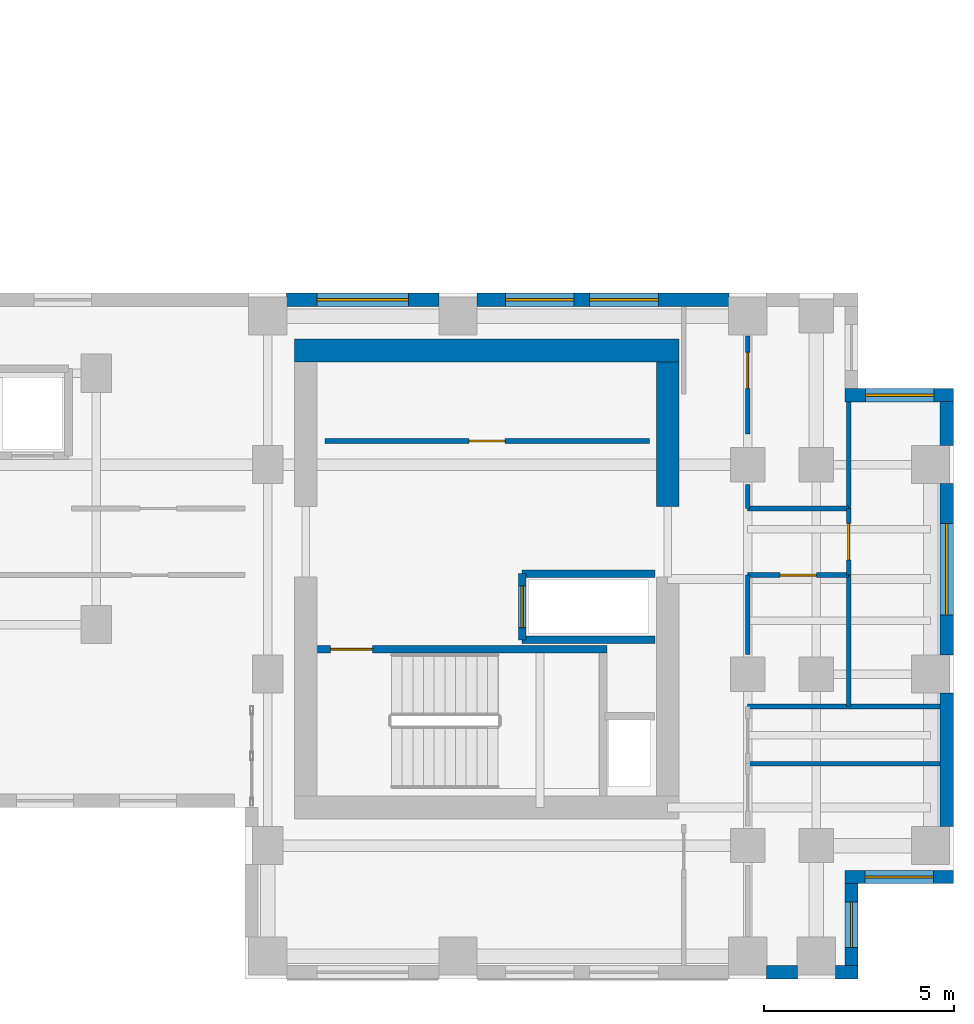
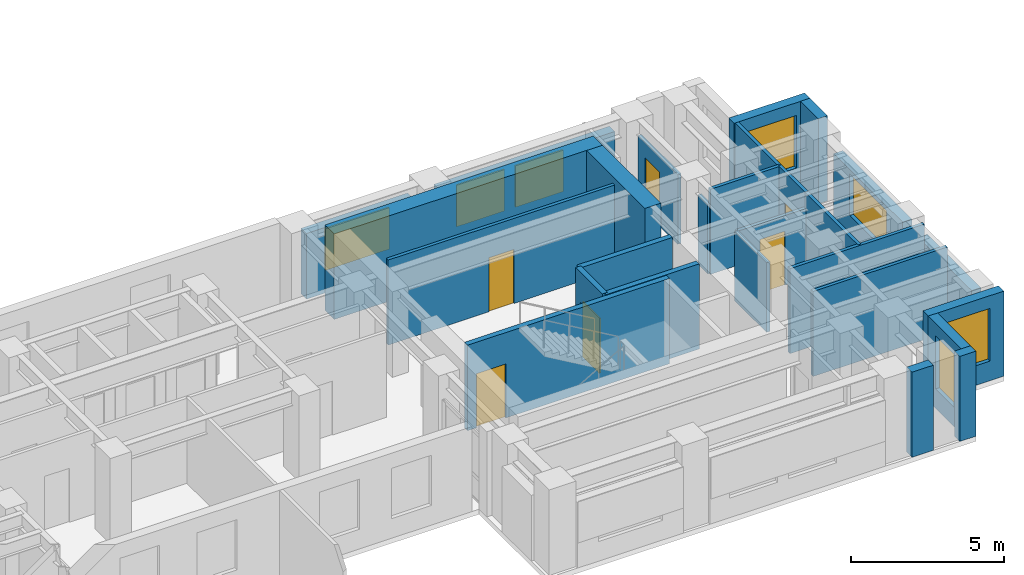
# One storey, part 8 of 12: 27 walls, 7 windows, 6 doors, 13 openings.
"""IFC4 building model written with IfcOpenShell, lengths in metres."""

from ifc_helpers import new_model, si_unit, direction, frame, frame_2d, origin, place, context, subcontext, project, spatial, rectangle, extrude, source, transform, mapped, material, layer, layer_set, type_object, element, fill, save


model = new_model("IFC4")

# Units and contexts
model_context = context("Model", 3, precision=1e-05, world=origin(), true_north=direction((0.0, 1.0)))
body_context = subcontext(model_context, "Body", "Model", "MODEL_VIEW")
ifc_project = project(units=[si_unit("LENGTHUNIT", "METRE"), si_unit("AREAUNIT", "SQUARE_METRE"), si_unit("VOLUMEUNIT", "CUBIC_METRE"), si_unit("PLANEANGLEUNIT", "RADIAN"), si_unit("MASSUNIT", "GRAM", prefix="KILO")], contexts=[model_context])

# Site, building, storey
site_placement = place(None, origin())
site = spatial("IfcSite", under=ifc_project, at=site_placement, CompositionType="ELEMENT")
building_placement = place(site_placement, origin())
building = spatial("IfcBuilding", under=site, at=building_placement, Name="Kharzan Plaza Tower", CompositionType="ELEMENT")
storey_placement = place(building_placement, frame((0.0, 0.0, 146.699951171875)))
storey = spatial("IfcBuildingStorey", under=building, at=storey_placement, Name="L39", CompositionType="ELEMENT", Elevation=146.699951171875)

# Wall, opening, window
ifc_material_1 = material(Name="Concrete C40/50", Category="concrete")
ifc_layer_1 = layer(ifc_material_1, 0.35009765625)
ifc_layer_set_1 = layer_set([ifc_layer_1], Name="Concrete C40/50")
wall_type_1 = type_object("IfcWallType", Name="WL-EXT-MAS-Z3", PredefinedType="SOLIDWALL", material=ifc_layer_set_1)
wall_1_placement = place(storey_placement, frame((50.324951171875, 0.347900390625, 0.0), z_axis=(0.0, 0.0, 1.0), x_axis=(0.0, 1.0, 0.0)))
wall_1 = element("IfcWall", 1, at=wall_1_placement, inside=storey, type_object=wall_type_1, Name="L39 Masonry-Frame Exterior Wall 33", PredefinedType="SOLIDWALL", context=body_context, shape_type="SweptSolid", body=[
    extrude(rectangle(XDim=2.154052734375, YDim=0.35009765625, at=frame_2d((1.0771484375, 0.0))), origin(), (0.0, 0.0, 1.0), 3.385009765625),
])
opening_1_placement = place(wall_1_placement, frame((0.47705078125, 0.0, 0.780029296875)))
opening_1 = element("IfcOpeningElement", 2, at=opening_1_placement, cuts=wall_1, Name="Opening W3", PredefinedType="OPENING", context=body_context, shape_type="SweptSolid", body=[
    extrude(rectangle(XDim=1.199951171875, YDim=2.10009765625, at=frame_2d((0.60009765625, 1.050048828125))), frame((0.0, 0.18505859375, 0.0), z_axis=(0.0, -1.0, 0.0), x_axis=(1.0, 0.0, 0.0)), (0.0, 0.0, 1.0), 0.3701171875),
])
ifc_material_2 = material(Name="Low-E Double Glazing", Category="glass")
window_type_1 = type_object("IfcWindowType", Name="WN-REC-1200x2100", PartitioningType="SINGLE_PANEL", PredefinedType="WINDOW", material=ifc_material_2)
shared_shape_1 = source(origin(), body_context, "Body", "SweptSolid", [
    extrude(rectangle(XDim=1.199951171875, YDim=2.10009765625, at=frame_2d((0.60009765625, 1.050048828125))), frame((0.0, 0.030029296875, 0.0), z_axis=(0.0, -1.0, 0.0), x_axis=(1.0, 0.0, 0.0)), (0.0, 0.0, 1.0), 0.06005859375),
])
window_1_placement = place(opening_1_placement, origin())
window_1 = element("IfcWindow", 3, at=window_1_placement, inside=storey, type_object=window_type_1, Name="L39 Recessed Solar-Control Window 33-1", OverallHeight=2.10009765625, OverallWidth=1.199951171875, PartitioningType="SINGLE_PANEL", PredefinedType="WINDOW", context=body_context, shape_type="MappedRepresentation", body=[
    mapped(shared_shape_1, transform((0.0, 0.0, 0.0), x_axis=(1.0, 0.0, 0.0), y_axis=(0.0, 1.0, 0.0), z_axis=(0.0, 0.0, 1.0))),
])
fill(opening_1, window_1)

wall_2_placement = place(storey_placement, frame((50.14990234375, 2.675048828125, 0.0), z_axis=(0.0, 0.0, 1.0), x_axis=(1.0, 0.0, 0.0)))
wall_2 = element("IfcWall", 4, at=wall_2_placement, inside=storey, type_object=wall_type_1, Name="L39 Masonry-Frame Exterior Wall 34", PredefinedType="SOLIDWALL", context=body_context, shape_type="SweptSolid", body=[
    extrude(rectangle(XDim=2.85009765625, YDim=0.35009765625, at=frame_2d((1.425048828125, 0.0))), origin(), (0.0, 0.0, 1.0), 3.385009765625),
])
opening_2_placement = place(wall_2_placement, frame((0.52490234375, 0.0, 0.780029296875)))
opening_2 = element("IfcOpeningElement", 5, at=opening_2_placement, cuts=wall_2, Name="Opening W1", PredefinedType="OPENING", context=body_context, shape_type="SweptSolid", body=[
    extrude(rectangle(XDim=1.800048828125, YDim=2.10009765625, at=frame_2d((0.89990234375, 1.050048828125))), frame((0.0, 0.18505859375, 0.0), z_axis=(0.0, -1.0, 0.0), x_axis=(1.0, 0.0, 0.0)), (0.0, 0.0, 1.0), 0.3701171875),
])
window_type_2 = type_object("IfcWindowType", Name="WN-REC-1800x2100", PartitioningType="SINGLE_PANEL", PredefinedType="WINDOW", material=ifc_material_2)
shared_shape_2 = source(origin(), body_context, "Body", "SweptSolid", [
    extrude(rectangle(XDim=1.800048828125, YDim=2.10009765625, at=frame_2d((0.89990234375, 1.050048828125))), frame((0.0, 0.030029296875, 0.0), z_axis=(0.0, -1.0, 0.0), x_axis=(1.0, 0.0, 0.0)), (0.0, 0.0, 1.0), 0.06005859375),
])
window_2_placement = place(opening_2_placement, origin())
window_2 = element("IfcWindow", 6, at=window_2_placement, inside=storey, type_object=window_type_2, Name="L39 Recessed Solar-Control Window 34-1", OverallHeight=2.10009765625, OverallWidth=1.800048828125, PartitioningType="SINGLE_PANEL", PredefinedType="WINDOW", context=body_context, shape_type="MappedRepresentation", body=[
    mapped(shared_shape_2, transform((0.0, 0.0, 0.0), x_axis=(1.0, 0.0, 0.0), y_axis=(0.0, 1.0, 0.0), z_axis=(0.0, 0.0, 1.0))),
])
fill(opening_2, window_2)

wall_3_placement = place(storey_placement, frame((52.824951171875, 8.498046875, 0.0), z_axis=(0.0, 0.0, 1.0), x_axis=(0.0, 1.0, 0.0)))
wall_3 = element("IfcWall", 7, at=wall_3_placement, inside=storey, type_object=wall_type_1, Name="L39 Masonry-Frame Exterior Wall 36", PredefinedType="SOLIDWALL", context=body_context, shape_type="SweptSolid", body=[
    extrude(rectangle(XDim=4.50390625, YDim=0.35009765625, at=frame_2d((2.251953125, 0.0))), origin(), (0.0, 0.0, 1.0), 2.612060546875),
])
opening_3_placement = place(wall_3_placement, frame((1.052001953125, 0.0, 0.780029296875)))
opening_3 = element("IfcOpeningElement", 8, at=opening_3_placement, cuts=wall_3, Name="Opening W2", PredefinedType="OPENING", context=body_context, shape_type="SweptSolid", body=[
    extrude(rectangle(XDim=2.39990234375, YDim=1.652099609375, at=frame_2d((1.199951171875, 0.826171875))), frame((0.0, 0.18505859375, 0.0), z_axis=(0.0, -1.0, 0.0), x_axis=(1.0, 0.0, 0.0)), (0.0, 0.0, 1.0), 0.3701171875),
])
window_type_3 = type_object("IfcWindowType", Name="WN-REC-2400x2100", PartitioningType="SINGLE_PANEL", PredefinedType="WINDOW", material=ifc_material_2)
shared_shape_3 = source(origin(), body_context, "Body", "SweptSolid", [
    extrude(rectangle(XDim=2.39990234375, YDim=1.652099609375, at=frame_2d((1.199951171875, 0.826171875))), frame((0.0, 0.030029296875, 0.0), z_axis=(0.0, -1.0, 0.0), x_axis=(1.0, 0.0, 0.0)), (0.0, 0.0, 1.0), 0.06005859375),
])
window_3_placement = place(opening_3_placement, origin())
window_3 = element("IfcWindow", 9, at=window_3_placement, inside=storey, type_object=window_type_3, Name="L39 Wide Recessed Solar-Control Window 36-1", OverallHeight=1.652099609375, OverallWidth=2.39990234375, PartitioningType="SINGLE_PANEL", PredefinedType="WINDOW", context=body_context, shape_type="MappedRepresentation", body=[
    mapped(shared_shape_3, transform((0.0, 0.0, 0.0), x_axis=(1.0, 0.0, 0.0), y_axis=(0.0, 1.0, 0.0), z_axis=(0.0, 0.0, 1.0))),
])
fill(opening_3, window_3)

wall_4_placement = place(storey_placement, frame((53.0, 15.324951171875, 0.0), z_axis=(0.0, 0.0, 1.0), x_axis=(-1.0, 0.0, 0.0)))
wall_4 = element("IfcWall", 10, at=wall_4_placement, inside=storey, type_object=wall_type_1, Name="L39 Masonry-Frame Exterior Wall 38", PredefinedType="SOLIDWALL", context=body_context, shape_type="SweptSolid", body=[
    extrude(rectangle(XDim=2.85009765625, YDim=0.35009765625, at=frame_2d((1.425048828125, 0.0))), origin(), (0.0, 0.0, 1.0), 3.385009765625),
])
opening_4_placement = place(wall_4_placement, frame((0.510009765625, 0.0, 0.780029296875)))
opening_4 = element("IfcOpeningElement", 11, at=opening_4_placement, cuts=wall_4, Name="Opening W1", PredefinedType="OPENING", context=body_context, shape_type="SweptSolid", body=[
    extrude(rectangle(XDim=1.800048828125, YDim=2.10009765625, at=frame_2d((0.89990234375, 1.050048828125))), frame((0.0, 0.18505859375, 0.0), z_axis=(0.0, -1.0, 0.0), x_axis=(1.0, 0.0, 0.0)), (0.0, 0.0, 1.0), 0.3701171875),
])
window_4_placement = place(opening_4_placement, origin())
window_4 = element("IfcWindow", 12, at=window_4_placement, inside=storey, type_object=window_type_2, Name="L39 Recessed Solar-Control Window 38-1", OverallHeight=2.10009765625, OverallWidth=1.800048828125, PartitioningType="SINGLE_PANEL", PredefinedType="WINDOW", context=body_context, shape_type="MappedRepresentation", body=[
    mapped(shared_shape_2, transform((0.0, 0.0, 0.0), x_axis=(1.0, 0.0, 0.0), y_axis=(0.0, 1.0, 0.0), z_axis=(0.0, 0.0, 1.0))),
])
fill(opening_4, window_4)

# Wall, openings, windows
wall_5_placement = place(storey_placement, frame((47.10205078125, 17.824951171875, 0.0), z_axis=(0.0, 0.0, 1.0), x_axis=(-1.0, 0.0, 0.0)))
wall_5 = element("IfcWall", 13, at=wall_5_placement, inside=storey, type_object=wall_type_1, Name="L39 Masonry-Frame Exterior Wall 42", PredefinedType="SOLIDWALL", context=body_context, shape_type="SweptSolid", body=[
    extrude(rectangle(XDim=6.60400390625, YDim=0.35009765625, at=frame_2d((3.302001953125, 0.0))), origin(), (0.0, 0.0, 1.0), 2.612060546875),
])
opening_5_placement = place(wall_5_placement, frame((1.849365234375, 0.0, 0.780029296875)))
opening_5 = element("IfcOpeningElement", 14, at=opening_5_placement, cuts=wall_5, Name="Opening W1", PredefinedType="OPENING", context=body_context, shape_type="SweptSolid", body=[
    extrude(rectangle(XDim=1.800048828125, YDim=1.652099609375, at=frame_2d((0.89990234375, 0.826171875))), frame((0.0, 0.18505859375, 0.0), z_axis=(0.0, -1.0, 0.0), x_axis=(1.0, 0.0, 0.0)), (0.0, 0.0, 1.0), 0.3701171875),
])
opening_6_placement = place(wall_5_placement, frame((4.066650390625, 0.0, 0.780029296875)))
opening_6 = element("IfcOpeningElement", 15, at=opening_6_placement, cuts=wall_5, Name="Opening W1", PredefinedType="OPENING", context=body_context, shape_type="SweptSolid", body=[
    extrude(rectangle(XDim=1.800048828125, YDim=1.652099609375, at=frame_2d((0.89990234375, 0.826171875))), frame((0.0, 0.18505859375, 0.0), z_axis=(0.0, -1.0, 0.0), x_axis=(1.0, 0.0, 0.0)), (0.0, 0.0, 1.0), 0.3701171875),
])
shared_shape_4 = source(origin(), body_context, "Body", "SweptSolid", [
    extrude(rectangle(XDim=1.800048828125, YDim=1.652099609375, at=frame_2d((0.89990234375, 0.826171875))), frame((0.0, 0.030029296875, 0.0), z_axis=(0.0, -1.0, 0.0), x_axis=(1.0, 0.0, 0.0)), (0.0, 0.0, 1.0), 0.06005859375),
])
window_5_placement = place(opening_5_placement, origin())
window_5 = element("IfcWindow", 16, at=window_5_placement, inside=storey, type_object=window_type_2, Name="L39 Recessed Solar-Control Window 42-1", OverallHeight=1.652099609375, OverallWidth=1.800048828125, PartitioningType="SINGLE_PANEL", PredefinedType="WINDOW", context=body_context, shape_type="MappedRepresentation", body=[
    mapped(shared_shape_4, transform((0.0, 0.0, 0.0), x_axis=(1.0, 0.0, 0.0), y_axis=(0.0, 1.0, 0.0), z_axis=(0.0, 0.0, 1.0))),
])
fill(opening_5, window_5)
window_6_placement = place(opening_6_placement, origin())
window_6 = element("IfcWindow", 17, at=window_6_placement, inside=storey, type_object=window_type_2, Name="L39 Recessed Solar-Control Window 42-2", OverallHeight=1.652099609375, OverallWidth=1.800048828125, PartitioningType="SINGLE_PANEL", PredefinedType="WINDOW", context=body_context, shape_type="MappedRepresentation", body=[
    mapped(shared_shape_4, transform((0.0, 0.0, 0.0), x_axis=(1.0, 0.0, 0.0), y_axis=(0.0, 1.0, 0.0), z_axis=(0.0, 0.0, 1.0))),
])
fill(opening_6, window_6)

# Wall, opening, window
wall_6_placement = place(storey_placement, frame((39.501953125, 17.824951171875, 0.0), z_axis=(0.0, 0.0, 1.0), x_axis=(-1.0, 0.0, 0.0)))
wall_6 = element("IfcWall", 18, at=wall_6_placement, inside=storey, type_object=wall_type_1, Name="L39 Masonry-Frame Exterior Wall 43", PredefinedType="SOLIDWALL", context=body_context, shape_type="SweptSolid", body=[
    extrude(rectangle(XDim=4.00390625, YDim=0.35009765625, at=frame_2d((2.001953125, 0.0))), origin(), (0.0, 0.0, 1.0), 2.612060546875),
])
opening_7_placement = place(wall_6_placement, frame((0.802001953125, 0.0, 0.780029296875)))
opening_7 = element("IfcOpeningElement", 19, at=opening_7_placement, cuts=wall_6, Name="Opening W2", PredefinedType="OPENING", context=body_context, shape_type="SweptSolid", body=[
    extrude(rectangle(XDim=2.39990234375, YDim=1.652099609375, at=frame_2d((1.199951171875, 0.826171875))), frame((0.0, 0.18505859375, 0.0), z_axis=(0.0, -1.0, 0.0), x_axis=(1.0, 0.0, 0.0)), (0.0, 0.0, 1.0), 0.3701171875),
])
window_7_placement = place(opening_7_placement, origin())
window_7 = element("IfcWindow", 20, at=window_7_placement, inside=storey, type_object=window_type_3, Name="L39 Wide Recessed Solar-Control Window 43-1", OverallHeight=1.652099609375, OverallWidth=2.39990234375, PartitioningType="SINGLE_PANEL", PredefinedType="WINDOW", context=body_context, shape_type="MappedRepresentation", body=[
    mapped(shared_shape_3, transform((0.0, 0.0, 0.0), x_axis=(1.0, 0.0, 0.0), y_axis=(0.0, 1.0, 0.0), z_axis=(0.0, 0.0, 1.0))),
])
fill(opening_7, window_7)

# Wall, opening, door
ifc_material_3 = material(Name="Fire-Rated Gypsum Board Partition", Category="gypsum")
ifc_layer_2 = layer(ifc_material_3, 0.125)
ifc_layer_set_2 = layer_set([ifc_layer_2], Name="Fire-Rated Gypsum Board Partition")
wall_type_2 = type_object("IfcWallType", Name="WL-INT-PART-125", PredefinedType="PARTITIONING", material=ifc_layer_set_2)
wall_7_placement = place(storey_placement, frame((36.5, 14.1201171875, 0.0), z_axis=(0.0, 0.0, 1.0), x_axis=(1.0, 0.0, 0.0)))
wall_7 = element("IfcWall", 21, at=wall_7_placement, inside=storey, type_object=wall_type_2, Name="L39 Interior Partition CB-RBLS1", PredefinedType="PARTITIONING", context=body_context, shape_type="SweptSolid", body=[
    extrude(rectangle(XDim=8.52001953125, YDim=0.125, at=frame_2d((4.260009765625, 0.0))), origin(), (0.0, 0.0, 1.0), 3.385009765625),
])
opening_8_placement = place(wall_7_placement, frame((3.784912109375, 0.0, 0.0)))
opening_8 = element("IfcOpeningElement", 22, at=opening_8_placement, cuts=wall_7, Name="Opening OD1", PredefinedType="OPENING", context=body_context, shape_type="SweptSolid", body=[
    extrude(rectangle(XDim=0.949951171875, YDim=2.14990234375, at=frame_2d((0.47509765625, 1.074951171875))), frame((0.0, 0.072509765625, 0.0), z_axis=(0.0, -1.0, 0.0), x_axis=(1.0, 0.0, 0.0)), (0.0, 0.0, 1.0), 0.14501953125),
])
ifc_material_4 = material(Name="Acoustic Solid-Core Stained Oak", Category="timber")
door_type_1 = type_object("IfcDoorType", Name="DR-OFF-SINGLE", OperationType="NOTDEFINED", PredefinedType="DOOR", material=ifc_material_4)
shared_shape_5 = source(origin(), body_context, "Body", "SweptSolid", [
    extrude(rectangle(XDim=0.949951171875, YDim=2.14990234375, at=frame_2d((0.47509765625, 1.074951171875))), frame((0.0, 0.02490234375, 0.0), z_axis=(0.0, -1.0, 0.0), x_axis=(1.0, 0.0, 0.0)), (0.0, 0.0, 1.0), 0.050048828125),
])
door_1_placement = place(opening_8_placement, origin())
door_1 = element("IfcDoor", 23, at=door_1_placement, inside=storey, type_object=door_type_1, Name="L39 Mail Room Door", OperationType="SINGLE_SWING_LEFT", OverallHeight=2.14990234375, OverallWidth=0.949951171875, PredefinedType="DOOR", context=body_context, shape_type="MappedRepresentation", body=[
    mapped(shared_shape_5, transform((0.0, 0.0, 0.0), x_axis=(1.0, 0.0, 0.0), y_axis=(0.0, 1.0, 0.0), z_axis=(0.0, 0.0, 1.0))),
])
fill(opening_8, door_1)

wall_8_placement = place(storey_placement, frame((50.25, 10.60009765625, 0.0), z_axis=(0.0, 0.0, 1.0), x_axis=(0.0, 1.0, 0.0)))
wall_8 = element("IfcWall", 24, at=wall_8_placement, inside=storey, type_object=wall_type_2, Name="L39 Interior Partition SH-B2E2", PredefinedType="PARTITIONING", context=body_context, shape_type="SweptSolid", body=[
    extrude(rectangle(XDim=1.75, YDim=0.125, at=frame_2d((0.875, 0.0))), origin(), (0.0, 0.0, 1.0), 3.385009765625),
])
opening_9_placement = place(wall_8_placement, frame((0.39990234375, 0.0, 0.0)))
opening_9 = element("IfcOpeningElement", 25, at=opening_9_placement, cuts=wall_8, Name="Opening OD1", PredefinedType="OPENING", context=body_context, shape_type="SweptSolid", body=[
    extrude(rectangle(XDim=0.949951171875, YDim=2.14990234375, at=frame_2d((0.47509765625, 1.074951171875))), frame((0.0, 0.072509765625, 0.0), z_axis=(0.0, -1.0, 0.0), x_axis=(1.0, 0.0, 0.0)), (0.0, 0.0, 1.0), 0.14501953125),
])
door_2_placement = place(opening_9_placement, origin())
door_2 = element("IfcDoor", 26, at=door_2_placement, inside=storey, type_object=door_type_1, Name="L39 East Boardroom Door", OperationType="SINGLE_SWING_RIGHT", OverallHeight=2.14990234375, OverallWidth=0.949951171875, PredefinedType="DOOR", context=body_context, shape_type="MappedRepresentation", body=[
    mapped(shared_shape_5, transform((0.0, 0.0, 0.0), x_axis=(1.0, 0.0, 0.0), y_axis=(0.0, 1.0, 0.0), z_axis=(0.0, 0.0, 1.0))),
])
fill(opening_9, door_2)

wall_9_placement = place(storey_placement, frame((47.60009765625, 10.60009765625, 0.0), z_axis=(0.0, 0.0, 1.0), x_axis=(1.0, 0.0, 0.0)))
wall_9 = element("IfcWall", 27, at=wall_9_placement, inside=storey, type_object=wall_type_2, Name="L39 Interior Partition SH-B2S1", PredefinedType="PARTITIONING", context=body_context, shape_type="SweptSolid", body=[
    extrude(rectangle(XDim=2.64990234375, YDim=0.125, at=frame_2d((1.324951171875, 0.0))), origin(), (0.0, 0.0, 1.0), 2.77294921875),
])
opening_10_placement = place(wall_9_placement, frame((0.85009765625, 0.0, 0.0)))
opening_10 = element("IfcOpeningElement", 28, at=opening_10_placement, cuts=wall_9, Name="Opening OD1", PredefinedType="OPENING", context=body_context, shape_type="SweptSolid", body=[
    extrude(rectangle(XDim=0.949951171875, YDim=2.14990234375, at=frame_2d((0.47509765625, 1.074951171875))), frame((0.0, 0.072509765625, 0.0), z_axis=(0.0, -1.0, 0.0), x_axis=(1.0, 0.0, 0.0)), (0.0, 0.0, 1.0), 0.14501953125),
])
door_3_placement = place(opening_10_placement, origin())
door_3 = element("IfcDoor", 29, at=door_3_placement, inside=storey, type_object=door_type_1, Name="L39 Spur South Office Door", OperationType="SINGLE_SWING_LEFT", OverallHeight=2.14990234375, OverallWidth=0.949951171875, PredefinedType="DOOR", context=body_context, shape_type="MappedRepresentation", body=[
    mapped(shared_shape_5, transform((0.0, 0.0, 0.0), x_axis=(1.0, 0.0, 0.0), y_axis=(0.0, 1.0, 0.0), z_axis=(0.0, 0.0, 1.0))),
])
fill(opening_10, door_3)

wall_10_placement = place(storey_placement, frame((47.60009765625, 14.300048828125, 0.0), z_axis=(0.0, 0.0, 1.0), x_axis=(0.0, 1.0, 0.0)))
wall_10 = element("IfcWall", 30, at=wall_10_placement, inside=storey, type_object=wall_type_2, Name="L39 Interior Partition SH-B2W3D", PredefinedType="PARTITIONING", context=body_context, shape_type="SweptSolid", body=[
    extrude(rectangle(XDim=2.579833984375, YDim=0.125, at=frame_2d((1.2900390625, 0.0))), origin(), (0.0, 0.0, 1.0), 2.77294921875),
])
opening_11_placement = place(wall_10_placement, frame((1.199951171875, 0.0, 0.0)))
opening_11 = element("IfcOpeningElement", 31, at=opening_11_placement, cuts=wall_10, Name="Opening OD1", PredefinedType="OPENING", context=body_context, shape_type="SweptSolid", body=[
    extrude(rectangle(XDim=0.949951171875, YDim=2.14990234375, at=frame_2d((0.47509765625, 1.074951171875))), frame((0.0, 0.072509765625, 0.0), z_axis=(0.0, -1.0, 0.0), x_axis=(1.0, 0.0, 0.0)), (0.0, 0.0, 1.0), 0.14501953125),
])
door_4_placement = place(opening_11_placement, origin())
door_4 = element("IfcDoor", 32, at=door_4_placement, inside=storey, type_object=door_type_1, Name="L39 Spur North Office Door", OperationType="SINGLE_SWING_LEFT", OverallHeight=2.14990234375, OverallWidth=0.949951171875, PredefinedType="DOOR", context=body_context, shape_type="MappedRepresentation", body=[
    mapped(shared_shape_5, transform((0.0, 0.0, 0.0), x_axis=(1.0, 0.0, 0.0), y_axis=(0.0, 1.0, 0.0), z_axis=(0.0, 0.0, 1.0))),
])
fill(opening_11, door_4)

ifc_layer_3 = layer(ifc_material_1, 0.199951171875)
ifc_layer_set_3 = layer_set([ifc_layer_3], Name="Concrete C40/50")
wall_type_3 = type_object("IfcWallType", Name="WL-INT-SHAFT-200", PredefinedType="PARTITIONING", material=ifc_layer_set_3)
wall_11_placement = place(storey_placement, frame((41.679931640625, 8.89990234375, 0.0), z_axis=(0.0, 0.0, 1.0), x_axis=(0.0, 1.0, 0.0)))
wall_11 = element("IfcWall", 33, at=wall_11_placement, inside=storey, type_object=wall_type_3, Name="L39 Interior Partition SHF-SVL-2-W", PredefinedType="PARTITIONING", context=body_context, shape_type="SweptSolid", body=[
    extrude(rectangle(XDim=1.739990234375, YDim=0.199951171875, at=frame_2d((0.8701171875, 0.0))), origin(), (0.0, 0.0, 1.0), 3.385009765625),
])
opening_12_placement = place(wall_11_placement, frame((0.320068359375, 0.0, 0.0)))
opening_12 = element("IfcOpeningElement", 34, at=opening_12_placement, cuts=wall_11, Name="Opening LD", PredefinedType="OPENING", context=body_context, shape_type="SweptSolid", body=[
    extrude(rectangle(XDim=1.10009765625, YDim=2.199951171875, at=frame_2d((0.550048828125, 1.10009765625))), frame((0.0, 0.10986328125, 0.0), z_axis=(0.0, -1.0, 0.0), x_axis=(1.0, 0.0, 0.0)), (0.0, 0.0, 1.0), 0.219970703125),
])
ifc_material_5 = material(Name="Brushed Stainless Steel", Category="steel")
door_type_2 = type_object("IfcDoorType", Name="DR-LIFT-SLIDE", OperationType="SLIDING_TO_LEFT", PredefinedType="DOOR", material=ifc_material_5)
shared_shape_6 = source(origin(), body_context, "Body", "SweptSolid", [
    extrude(rectangle(XDim=1.10009765625, YDim=2.199951171875, at=frame_2d((0.550048828125, 1.10009765625))), frame((0.0, 0.02490234375, 0.0), z_axis=(0.0, -1.0, 0.0), x_axis=(1.0, 0.0, 0.0)), (0.0, 0.0, 1.0), 0.050048828125),
])
door_5_placement = place(opening_12_placement, origin())
door_5 = element("IfcDoor", 35, at=door_5_placement, inside=storey, type_object=door_type_2, Name="L39 Service Lift SVL-2 Sliding Landing Door", OperationType="SLIDING_TO_LEFT", OverallHeight=2.199951171875, OverallWidth=1.10009765625, PredefinedType="DOOR", context=body_context, shape_type="MappedRepresentation", body=[
    mapped(shared_shape_6, transform((0.0, 0.0, 0.0), x_axis=(1.0, 0.0, 0.0), y_axis=(0.0, 1.0, 0.0), z_axis=(0.0, 0.0, 1.0))),
])
fill(opening_12, door_5)

ifc_material_6 = material(Name="Concrete C50/60", Category="concrete")
ifc_layer_4 = layer(ifc_material_6, 0.199951171875)
ifc_layer_set_4 = layer_set([ifc_layer_4], Name="Concrete C50/60")
wall_type_4 = type_object("IfcWallType", Name="WL-SHAFT-RC200", PredefinedType="SHEAR", material=ifc_layer_set_4)
wall_12_placement = place(storey_placement, frame((36.302001953125, 8.655029296875, 0.0), z_axis=(0.0, 0.0, 1.0), x_axis=(1.0, 0.0, 0.0)))
wall_12 = element("IfcWall", 36, at=wall_12_placement, inside=storey, type_object=wall_type_4, Name="L39 Stair ST-3 North RC Shaft Wall", PredefinedType="SHEAR", context=body_context, shape_type="SweptSolid", body=[
    extrude(rectangle(XDim=7.60302734375, YDim=0.199951171875, at=frame_2d((3.801513671875, 0.0))), origin(), (0.0, 0.0, 1.0), 3.400146484375),
])
opening_13_placement = place(wall_12_placement, frame((0.35009765625, 0.0, 0.0)))
opening_13 = element("IfcOpeningElement", 37, at=opening_13_placement, cuts=wall_12, Name="Opening SD1", PredefinedType="OPENING", context=body_context, shape_type="SweptSolid", body=[
    extrude(rectangle(XDim=1.10009765625, YDim=2.14990234375, at=frame_2d((0.550048828125, 1.074951171875))), frame((0.0, 0.10986328125, 0.0), z_axis=(0.0, -1.0, 0.0), x_axis=(1.0, 0.0, 0.0)), (0.0, 0.0, 1.0), 0.219970703125),
])
ifc_material_7 = material(Name="Fire-Rated Hollow Galvanized Steel", Category="steel")
door_type_3 = type_object("IfcDoorType", Name="DR-STAIR-FD120", OperationType="NOTDEFINED", PredefinedType="DOOR", material=ifc_material_7)
shared_shape_7 = source(origin(), body_context, "Body", "SweptSolid", [
    extrude(rectangle(XDim=1.10009765625, YDim=2.14990234375, at=frame_2d((0.550048828125, 1.074951171875))), frame((0.0, 0.02490234375, 0.0), z_axis=(0.0, -1.0, 0.0), x_axis=(1.0, 0.0, 0.0)), (0.0, 0.0, 1.0), 0.050048828125),
])
door_6_placement = place(opening_13_placement, origin())
door_6 = element("IfcDoor", 38, at=door_6_placement, inside=storey, type_object=door_type_3, Name="L39 Stair ST-3 Fire Exit Door", OperationType="SINGLE_SWING_RIGHT", OverallHeight=2.14990234375, OverallWidth=1.10009765625, PredefinedType="DOOR", context=body_context, shape_type="MappedRepresentation", body=[
    mapped(shared_shape_7, transform((0.0, 0.0, 0.0), x_axis=(1.0, 0.0, 0.0), y_axis=(0.0, 1.0, 0.0), z_axis=(0.0, 0.0, 1.0))),
])
fill(opening_13, door_6)

# Walls
shared_shape_8 = source(origin(), body_context, "Body", "SweptSolid", [
    extrude(rectangle(XDim=0.80419921875, YDim=0.35009765625, at=frame_2d((0.402099609375, 0.0))), origin(), (0.0, 0.0, 1.0), 3.385009765625),
])
wall_13_placement = place(storey_placement, frame((48.097900390625, 0.175048828125, 0.0), z_axis=(0.0, 0.0, 1.0), x_axis=(1.0, 0.0, 0.0)))
element("IfcWall", 39, at=wall_13_placement, inside=storey, type_object=wall_type_1, Name="L39 Masonry-Frame Exterior Wall 31", PredefinedType="SOLIDWALL", context=body_context, shape_type="MappedRepresentation", body=[
    mapped(shared_shape_8, transform((0.0, 0.0, 0.0), x_axis=(1.0, 0.0, 0.0), y_axis=(0.0, 1.0, 0.0), z_axis=(0.0, 0.0, 1.0))),
])
shared_shape_9 = source(origin(), body_context, "Body", "SweptSolid", [
    extrude(rectangle(XDim=0.60205078125, YDim=0.35009765625, at=frame_2d((0.301025390625, 0.0))), origin(), (0.0, 0.0, 1.0), 3.385009765625),
])
wall_14_placement = place(storey_placement, frame((49.89794921875, 0.175048828125, 0.0), z_axis=(0.0, 0.0, 1.0), x_axis=(1.0, 0.0, 0.0)))
element("IfcWall", 40, at=wall_14_placement, inside=storey, type_object=wall_type_1, Name="L39 Masonry-Frame Exterior Wall 32", PredefinedType="SOLIDWALL", context=body_context, shape_type="MappedRepresentation", body=[
    mapped(shared_shape_9, transform((0.0, 0.0, 0.0), x_axis=(1.0, 0.0, 0.0), y_axis=(0.0, 1.0, 0.0), z_axis=(0.0, 0.0, 1.0))),
])
shared_shape_10 = source(origin(), body_context, "Body", "SweptSolid", [
    extrude(rectangle(XDim=1.154052734375, YDim=0.35009765625, at=frame_2d((0.5771484375, 0.0))), origin(), (0.0, 0.0, 1.0), 3.385009765625),
])
wall_15_placement = place(storey_placement, frame((52.824951171875, 13.998046875, 0.0), z_axis=(0.0, 0.0, 1.0), x_axis=(0.0, 1.0, 0.0)))
element("IfcWall", 41, at=wall_15_placement, inside=storey, type_object=wall_type_1, Name="L39 Masonry-Frame Exterior Wall 37", PredefinedType="SOLIDWALL", context=body_context, shape_type="MappedRepresentation", body=[
    mapped(shared_shape_10, transform((0.0, 0.0, 0.0), x_axis=(1.0, 0.0, 0.0), y_axis=(0.0, 1.0, 0.0), z_axis=(0.0, 0.0, 1.0))),
])
shared_shape_11 = source(origin(), body_context, "Body", "SweptSolid", [
    extrude(rectangle(XDim=0.6298828125, YDim=0.125, at=frame_2d((0.31494140625, 0.0))), origin(), (0.0, 0.0, 1.0), 2.77294921875),
])
wall_16_placement = place(storey_placement, frame((47.60009765625, 12.35009765625, 0.0), z_axis=(0.0, 0.0, 1.0), x_axis=(0.0, 1.0, 0.0)))
element("IfcWall", 42, at=wall_16_placement, inside=storey, type_object=wall_type_2, Name="L39 Interior Partition SH-B2W3S", PredefinedType="PARTITIONING", context=body_context, shape_type="MappedRepresentation", body=[
    mapped(shared_shape_11, transform((0.0, 0.0, 0.0), x_axis=(1.0, 0.0, 0.0), y_axis=(0.0, 1.0, 0.0), z_axis=(0.0, 0.0, 1.0))),
])
shared_shape_12 = source(origin(), body_context, "Body", "SweptSolid", [
    extrude(rectangle(XDim=5.0478515625, YDim=0.125, at=frame_2d((2.52392578125, 0.0))), origin(), (0.0, 0.0, 1.0), 3.385009765625),
])
for number, where, z_axis, x_axis, name in (
    (43, (47.60009765625, 5.64990234375, 0.0), (0.0, 0.0, 1.0), (1.0, 0.0, 0.0), "L39 Interior Partition SH-B2H1"),
    (44, (47.60009765625, 7.14990234375, 0.0), (0.0, 0.0, 1.0), (1.0, 0.0, 0.0), "L39 Interior Partition SH-B2H2"),
):
    element("IfcWall", number, at=place(storey_placement, frame(where, z_axis=z_axis, x_axis=x_axis)), inside=storey, type_object=wall_type_2, Name=name, PredefinedType="PARTITIONING", context=body_context, shape_type="MappedRepresentation", body=[
        mapped(shared_shape_12, transform((0.0, 0.0, 0.0), x_axis=(1.0, 0.0, 0.0), y_axis=(0.0, 1.0, 0.0), z_axis=(0.0, 0.0, 1.0))),
    ])
shared_shape_13 = source(origin(), body_context, "Body", "SweptSolid", [
    extrude(rectangle(XDim=3.489990234375, YDim=0.199951171875, at=frame_2d((1.7451171875, 0.0))), origin(), (0.0, 0.0, 1.0), 3.385009765625),
])
for number, where, z_axis, x_axis, name in (
    (45, (41.679931640625, 10.639892578125, 0.0), (0.0, 0.0, 1.0), (1.0, 0.0, 0.0), "L39 Interior Partition SHF-SVL-2-N"),
    (46, (41.679931640625, 8.89990234375, 0.0), (0.0, 0.0, 1.0), (1.0, 0.0, 0.0), "L39 Interior Partition SHF-SVL-2-S"),
):
    element("IfcWall", number, at=place(storey_placement, frame(where, z_axis=z_axis, x_axis=x_axis)), inside=storey, type_object=wall_type_3, Name=name, PredefinedType="PARTITIONING", context=body_context, shape_type="MappedRepresentation", body=[
        mapped(shared_shape_13, transform((0.0, 0.0, 0.0), x_axis=(1.0, 0.0, 0.0), y_axis=(0.0, 1.0, 0.0), z_axis=(0.0, 0.0, 1.0))),
    ])
ifc_layer_5 = layer(ifc_material_6, 0.60009765625)
ifc_layer_set_5 = layer_set([ifc_layer_5], Name="Concrete C50/60")
wall_type_5 = type_object("IfcWallType", Name="WL-CORE-600", PredefinedType="SHEAR", material=ifc_layer_set_5)
shared_shape_14 = source(origin(), body_context, "Body", "SweptSolid", [
    extrude(rectangle(XDim=3.800048828125, YDim=0.60009765625, at=frame_2d((1.89990234375, 0.0))), origin(), (0.0, 0.0, 1.0), 3.400146484375),
])
wall_17_placement = place(storey_placement, frame((45.5, 12.39990234375, 0.0), z_axis=(0.0, 0.0, 1.0), x_axis=(0.0, 1.0, 0.0)))
element("IfcWall", 47, at=wall_17_placement, inside=storey, type_object=wall_type_5, Name="L39 CORE-B east shear pier 2", PredefinedType="SHEAR", context=body_context, shape_type="MappedRepresentation", body=[
    mapped(shared_shape_14, transform((0.0, 0.0, 0.0), x_axis=(1.0, 0.0, 0.0), y_axis=(0.0, 1.0, 0.0), z_axis=(0.0, 0.0, 1.0))),
])
shared_shape_15 = source(origin(), body_context, "Body", "SweptSolid", [
    extrude(rectangle(XDim=10.10009765625, YDim=0.60009765625, at=frame_2d((5.050048828125, 0.0))), origin(), (0.0, 0.0, 1.0), 3.400146484375),
])
wall_18_placement = place(storey_placement, frame((35.699951171875, 16.5, 0.0), z_axis=(0.0, 0.0, 1.0), x_axis=(1.0, 0.0, 0.0)))
element("IfcWall", 48, at=wall_18_placement, inside=storey, type_object=wall_type_5, Name="L39 CORE-B north RC shear wall", PredefinedType="SHEAR", context=body_context, shape_type="MappedRepresentation", body=[
    mapped(shared_shape_15, transform((0.0, 0.0, 0.0), x_axis=(1.0, 0.0, 0.0), y_axis=(0.0, 1.0, 0.0), z_axis=(0.0, 0.0, 1.0))),
])
shared_shape_16 = source(origin(), body_context, "Body", "SweptSolid", [
    extrude(rectangle(XDim=3.50390625, YDim=0.35009765625, at=frame_2d((1.751953125, 0.0))), origin(), (0.0, 0.0, 1.0), 2.612060546875),
])
wall_19_placement = place(storey_placement, frame((52.824951171875, 3.998046875, 0.0), z_axis=(0.0, 0.0, 1.0), x_axis=(0.0, 1.0, 0.0)))
element("IfcWall", 49, at=wall_19_placement, inside=storey, type_object=wall_type_1, Name="L39 Masonry-Frame Exterior Wall 35", PredefinedType="SOLIDWALL", context=body_context, shape_type="MappedRepresentation", body=[
    mapped(shared_shape_16, transform((0.0, 0.0, 0.0), x_axis=(1.0, 0.0, 0.0), y_axis=(0.0, 1.0, 0.0), z_axis=(0.0, 0.0, 1.0))),
])
shared_shape_17 = source(origin(), body_context, "Body", "SweptSolid", [
    extrude(rectangle(XDim=2.64990234375, YDim=0.125, at=frame_2d((1.324951171875, 0.0))), origin(), (0.0, 0.0, 1.0), 3.385009765625),
])
wall_20_placement = place(storey_placement, frame((47.60009765625, 12.35009765625, 0.0), z_axis=(0.0, 0.0, 1.0), x_axis=(1.0, 0.0, 0.0)))
element("IfcWall", 50, at=wall_20_placement, inside=storey, type_object=wall_type_2, Name="L39 Interior Partition SH-B2N3", PredefinedType="PARTITIONING", context=body_context, shape_type="MappedRepresentation", body=[
    mapped(shared_shape_17, transform((0.0, 0.0, 0.0), x_axis=(1.0, 0.0, 0.0), y_axis=(0.0, 1.0, 0.0), z_axis=(0.0, 0.0, 1.0))),
])
shared_shape_18 = source(origin(), body_context, "Body", "SweptSolid", [
    extrude(rectangle(XDim=3.4501953125, YDim=0.125, at=frame_2d((1.72509765625, 0.0))), origin(), (0.0, 0.0, 1.0), 3.385009765625),
])
wall_21_placement = place(storey_placement, frame((50.25, 7.14990234375, 0.0), z_axis=(0.0, 0.0, 1.0), x_axis=(0.0, 1.0, 0.0)))
element("IfcWall", 51, at=wall_21_placement, inside=storey, type_object=wall_type_2, Name="L39 Interior Partition SH-B2V1", PredefinedType="PARTITIONING", context=body_context, shape_type="MappedRepresentation", body=[
    mapped(shared_shape_18, transform((0.0, 0.0, 0.0), x_axis=(1.0, 0.0, 0.0), y_axis=(0.0, 1.0, 0.0), z_axis=(0.0, 0.0, 1.0))),
])
shared_shape_19 = source(origin(), body_context, "Body", "SweptSolid", [
    extrude(rectangle(XDim=2.7978515625, YDim=0.125, at=frame_2d((1.39892578125, 0.0))), origin(), (0.0, 0.0, 1.0), 3.385009765625),
])
wall_22_placement = place(storey_placement, frame((50.25, 12.35009765625, 0.0), z_axis=(0.0, 0.0, 1.0), x_axis=(0.0, 1.0, 0.0)))
element("IfcWall", 52, at=wall_22_placement, inside=storey, type_object=wall_type_2, Name="L39 Interior Partition SH-B2V2", PredefinedType="PARTITIONING", context=body_context, shape_type="MappedRepresentation", body=[
    mapped(shared_shape_19, transform((0.0, 0.0, 0.0), x_axis=(1.0, 0.0, 0.0), y_axis=(0.0, 1.0, 0.0), z_axis=(0.0, 0.0, 1.0))),
])
shared_shape_20 = source(origin(), body_context, "Body", "SweptSolid", [
    extrude(rectangle(XDim=2.080078125, YDim=0.125, at=frame_2d((1.0400390625, 0.0))), origin(), (0.0, 0.0, 1.0), 2.77294921875),
])
wall_23_placement = place(storey_placement, frame((47.60009765625, 8.52001953125, 0.0), z_axis=(0.0, 0.0, 1.0), x_axis=(0.0, 1.0, 0.0)))
element("IfcWall", 53, at=wall_23_placement, inside=storey, type_object=wall_type_2, Name="L39 Interior Partition SH-B2W1C", PredefinedType="PARTITIONING", context=body_context, shape_type="MappedRepresentation", body=[
    mapped(shared_shape_20, transform((0.0, 0.0, 0.0), x_axis=(1.0, 0.0, 0.0), y_axis=(0.0, 1.0, 0.0), z_axis=(0.0, 0.0, 1.0))),
])

save(model, "model.ifc")
